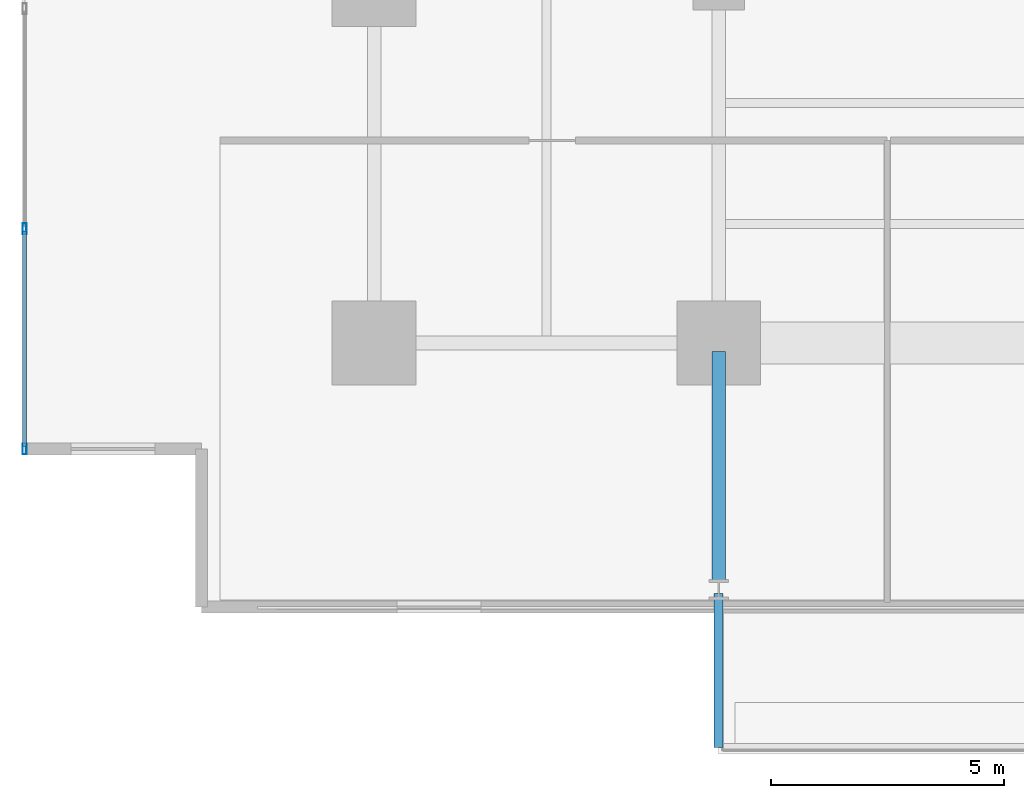
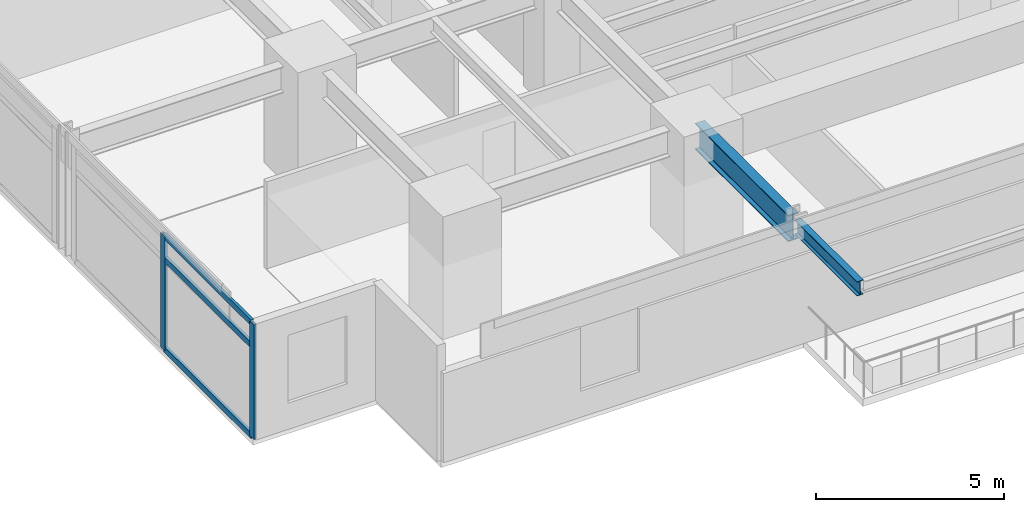
# One storey, part 2 of 23: 5 members, 2 beams, 1 element without a shape of its own.
"""IFC4 building model written with IfcOpenShell, lengths in metres."""

from ifc_helpers import new_model, si_unit, direction, frame, origin, origin_2d, place, context, subcontext, project, spatial, hollow_rectangle, i_section, extrude, material, material_profile, profile_set, type_object, element, aggregate, save


model = new_model("IFC4")

# Units and contexts
model_context = context("Model", 3, precision=1e-05, world=origin(), true_north=direction((0.0, 1.0)))
body_context = subcontext(model_context, "Body", "Model", "MODEL_VIEW")
ifc_project = project(units=[si_unit("LENGTHUNIT", "METRE"), si_unit("AREAUNIT", "SQUARE_METRE"), si_unit("VOLUMEUNIT", "CUBIC_METRE"), si_unit("PLANEANGLEUNIT", "RADIAN"), si_unit("MASSUNIT", "GRAM", prefix="KILO")], contexts=[model_context])

# Site, building, storey
site_placement = place(None, origin())
site = spatial("IfcSite", under=ifc_project, at=site_placement, CompositionType="ELEMENT")
building_placement = place(site_placement, origin())
building = spatial("IfcBuilding", under=site, at=building_placement, Name="Kovane Verandah Tower", CompositionType="ELEMENT")
storey_placement = place(building_placement, frame((0.0, 0.0, 63.60009765625)))
storey = spatial("IfcBuildingStorey", under=building, at=storey_placement, Name="L14", CompositionType="ELEMENT", Elevation=63.60009765625)

# Beam
ifc_material_1 = material(Name="Steel S355", Category="steel")
ifc_material_profile_1 = material_profile(ifc_material_1, i_section(OverallWidth=0.293701171875, OverallDepth=0.850830078125, WebThickness=0.01611328125, FlangeThickness=0.02685546875, FilletRadius=0.017822265625, at=origin_2d()), Name="UB838x292x226")
ifc_profile_set_1 = profile_set([ifc_material_profile_1], Name="Steel S355")
beam_type_1 = type_object("IfcBeamType", Name="BM-UB838x226", PredefinedType="BEAM", material=ifc_profile_set_1)
beam_1_placement = place(storey_placement, frame((29.0, 10.6201171875, 3.33447265625), z_axis=(0.0, -1.0, 0.0), x_axis=(1.0, 0.0, 0.0)))
element("IfcBeam", 1, at=beam_1_placement, inside=storey, type_object=beam_type_1, Name="L14 Primary Tower Girder G-VS1", PredefinedType="BEAM", context=body_context, shape_type="SweptSolid", body=[
    extrude(i_section(OverallWidth=0.293701171875, OverallDepth=0.850830078125, WebThickness=0.01611328125, FlangeThickness=0.02685546875, FilletRadius=0.017822265625, at=origin_2d()), origin(), (0.0, 0.0, 1.0), 4.940185546875),
])

# Curtain wall, members
ifc_material_2 = material(Name="Champagne Anodised Aluminium Frame with Low-E Clear Laminated Glass", Category="aluminium")
curtain_wall_type = type_object("IfcCurtainWallType", Name="CW-SYS-02-LOW", PredefinedType="NOTDEFINED", material=ifc_material_2)
curtain_wall_placement = place(storey_placement, origin())
curtain_wall = element("IfcCurtainWall", 2, at=curtain_wall_placement, inside=storey, type_object=curtain_wall_type, Name="L14 W Unitised Curtain Wall-3", PredefinedType="NOTDEFINED")
ifc_material_3 = material(Name="Champagne Anodised Aluminium 6063-T6", Category="aluminium")
ifc_material_profile_2 = material_profile(ifc_material_3, hollow_rectangle(XDim=0.0849609375, YDim=0.22998046875, WallThickness=0.00390625, at=origin_2d()), Name="AL85x230x4")
ifc_profile_set_2 = profile_set([ifc_material_profile_2], Name="Champagne Anodised Aluminium 6063-T6")
member_type_1 = type_object("IfcMemberType", Name="CW-MUL-85x230", PredefinedType="MULLION", material=ifc_profile_set_2)
member_1_placement = place(storey_placement, frame((14.093017578125, 13.25244140625, 0.02001953125), z_axis=(0.0, 0.0, 1.0), x_axis=(-1.0, 0.0, 0.0)))
member_1 = element("IfcMember", 3, at=member_1_placement, type_object=member_type_1, Name="L14 W Unitised Curtain Wall-3 Mullion 2", PredefinedType="MULLION", context=body_context, shape_type="SweptSolid", body=[
    extrude(hollow_rectangle(XDim=0.0849609375, YDim=0.22998046875, WallThickness=0.00390625, at=origin_2d()), origin(), (0.0, 0.0, 1.0), 3.719970703125),
])
member_2_placement = place(storey_placement, frame((14.093017578125, 8.52490234375, 0.02001953125), z_axis=(0.0, 0.0, 1.0), x_axis=(-1.0, 0.0, 0.0)))
member_2 = element("IfcMember", 4, at=member_2_placement, type_object=member_type_1, Name="L14 W Unitised Curtain Wall-3 Mullion 3", PredefinedType="MULLION", context=body_context, shape_type="SweptSolid", body=[
    extrude(hollow_rectangle(XDim=0.0849609375, YDim=0.22998046875, WallThickness=0.00390625, at=origin_2d()), origin(), (0.0, 0.0, 1.0), 3.719970703125),
])
ifc_material_profile_3 = material_profile(ifc_material_3, hollow_rectangle(XDim=0.0849609375, YDim=0.18994140625, WallThickness=0.00390625, at=origin_2d()), Name="AL85x190x4")
ifc_profile_set_3 = profile_set([ifc_material_profile_3], Name="Champagne Anodised Aluminium 6063-T6")
member_type_2 = type_object("IfcMemberType", Name="CW-TRN-85x190", PredefinedType="USERDEFINED", material=ifc_profile_set_3)
member_3_placement = place(storey_placement, frame((14.093017578125, 13.202392578125, 0.0498046875), z_axis=(0.0, -1.0, 0.0), x_axis=(1.0, 0.0, 0.0)))
member_3 = element("IfcMember", 5, at=member_3_placement, type_object=member_type_2, Name="L14 W Unitised Curtain Wall-3 Transom TB Bay 2", ObjectType="TRANSOM", PredefinedType="USERDEFINED", context=body_context, shape_type="SweptSolid", body=[
    extrude(hollow_rectangle(XDim=0.0849609375, YDim=0.18994140625, WallThickness=0.00390625, at=origin_2d()), origin(), (0.0, 0.0, 1.0), 4.62744140625),
])
member_4_placement = place(storey_placement, frame((14.093017578125, 13.202392578125, 2.97998046875), z_axis=(0.0, -1.0, 0.0), x_axis=(1.0, 0.0, 0.0)))
member_4 = element("IfcMember", 6, at=member_4_placement, type_object=member_type_2, Name="L14 W Unitised Curtain Wall-3 Transom TM Bay 2", ObjectType="TRANSOM", PredefinedType="USERDEFINED", context=body_context, shape_type="SweptSolid", body=[
    extrude(hollow_rectangle(XDim=0.0849609375, YDim=0.18994140625, WallThickness=0.00390625, at=origin_2d()), origin(), (0.0, 0.0, 1.0), 4.62744140625),
])
member_5_placement = place(storey_placement, frame((14.093017578125, 13.202392578125, 3.7099609375), z_axis=(0.0, -1.0, 0.0), x_axis=(1.0, 0.0, 0.0)))
member_5 = element("IfcMember", 7, at=member_5_placement, type_object=member_type_2, Name="L14 W Unitised Curtain Wall-3 Transom TT Bay 2", ObjectType="TRANSOM", PredefinedType="USERDEFINED", context=body_context, shape_type="SweptSolid", body=[
    extrude(hollow_rectangle(XDim=0.0849609375, YDim=0.18994140625, WallThickness=0.00390625, at=origin_2d()), origin(), (0.0, 0.0, 1.0), 4.62744140625),
])
aggregate(curtain_wall, [member_1, member_2, member_3, member_4, member_5])

# Beam
ifc_material_profile_4 = material_profile(ifc_material_1, i_section(OverallWidth=0.19287109375, OverallDepth=0.46728515625, WebThickness=0.011474609375, FlangeThickness=0.01953125, FilletRadius=0.01025390625, at=origin_2d()), Name="UB457x191x98")
ifc_profile_set_4 = profile_set([ifc_material_profile_4], Name="Steel S355")
beam_type_2 = type_object("IfcBeamType", Name="JST-UB457x98", PredefinedType="JOIST", material=ifc_profile_set_4)
beam_2_placement = place(storey_placement, frame((29.0, 5.419921875, 3.5263671875), z_axis=(0.0, -1.0, 0.0), x_axis=(1.0, 0.0, 0.0)))
element("IfcBeam", 8, at=beam_2_placement, inside=storey, type_object=beam_type_2, Name="L14 South Planter Girder 1", PredefinedType="JOIST", context=body_context, shape_type="SweptSolid", body=[
    extrude(i_section(OverallWidth=0.19287109375, OverallDepth=0.46728515625, WebThickness=0.011474609375, FlangeThickness=0.01953125, FilletRadius=0.01025390625, at=origin_2d()), origin(), (0.0, 0.0, 1.0), 3.310791015625),
])

save(model, "model.ifc")
